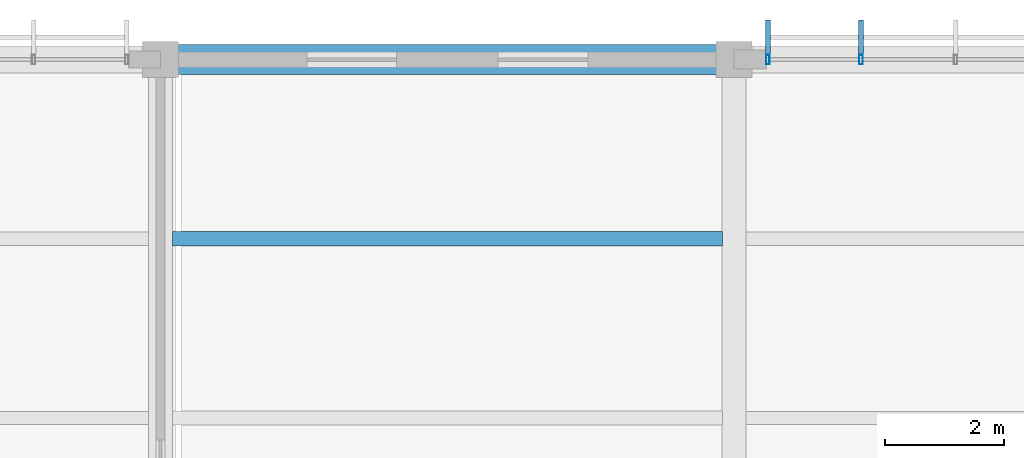
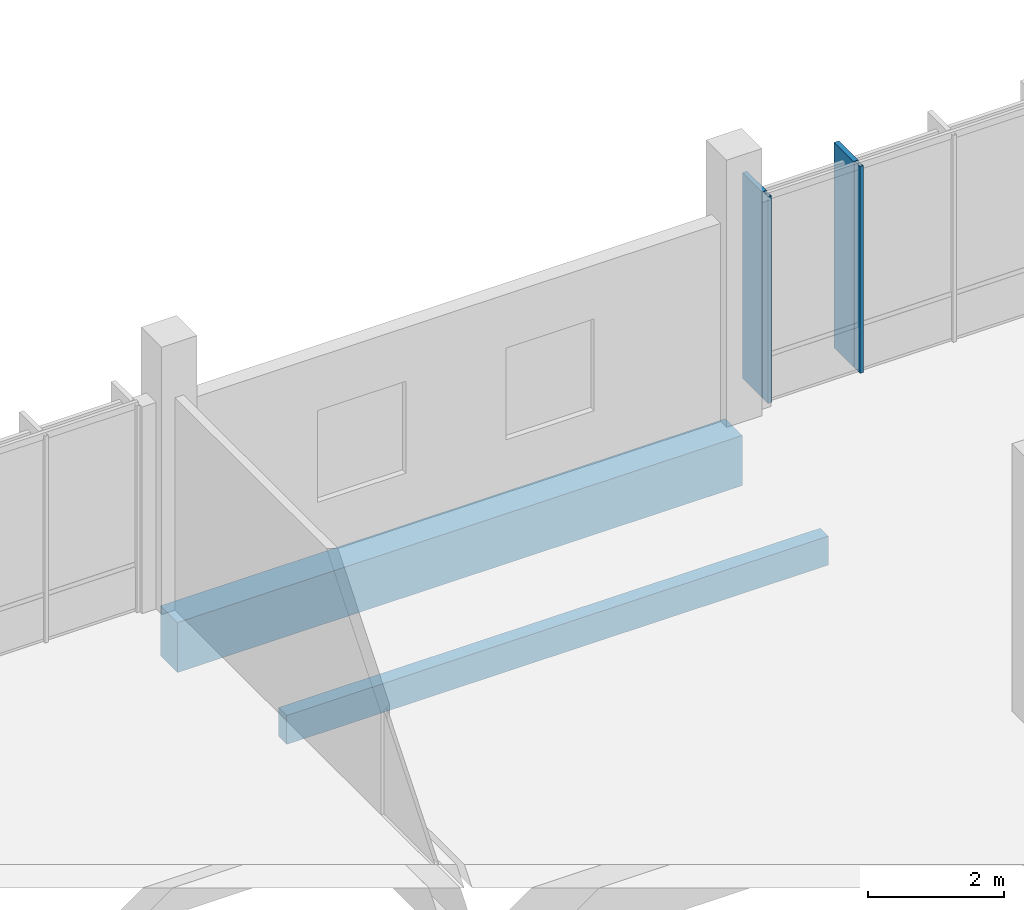
# One storey, part 128 of 177: 4 members, 2 beams, 1 element without a shape of its own.
"""IFC4 building model written with IfcOpenShell, lengths in metres."""

from ifc_helpers import new_model, si_unit, direction, frame, origin, origin_2d, place, context, subcontext, project, spatial, rectangle, hollow_rectangle, extrude, material, material_profile, profile_set, type_object, element, aggregate, save


model = new_model("IFC4")

# Units and contexts
model_context = context("Model", 3, precision=1e-05, world=origin(), true_north=direction((0.0, 1.0)))
body_context = subcontext(model_context, "Body", "Model", "MODEL_VIEW")
ifc_project = project(units=[si_unit("LENGTHUNIT", "METRE"), si_unit("AREAUNIT", "SQUARE_METRE"), si_unit("VOLUMEUNIT", "CUBIC_METRE"), si_unit("PLANEANGLEUNIT", "RADIAN"), si_unit("MASSUNIT", "GRAM", prefix="KILO")], contexts=[model_context])

# Site, building, storey
site_placement = place(None, origin())
site = spatial("IfcSite", under=ifc_project, at=site_placement, CompositionType="ELEMENT")
building_placement = place(site_placement, origin())
building = spatial("IfcBuilding", under=site, at=building_placement, Name="Chiffa Square Polytechnic", CompositionType="ELEMENT")
storey_placement = place(building_placement, frame((0.0, 0.0, 4.800048828125)))
storey = spatial("IfcBuildingStorey", under=building, at=storey_placement, Name="L01", CompositionType="ELEMENT", Elevation=4.800048828125)

# Beam
ifc_material_1 = material(Name="Concrete C40/50", Category="concrete")
ifc_material_profile_1 = material_profile(ifc_material_1, rectangle(XDim=0.5, YDim=0.89990234375, at=origin_2d()), Name="RC 500x900")
ifc_profile_set_1 = profile_set([ifc_material_profile_1], Name="Concrete C40/50")
beam_type_1 = type_object("IfcBeamType", Name="BM-RC-500X900", PredefinedType="BEAM", material=ifc_profile_set_1)
beam_1_placement = place(storey_placement, frame((111.60009765625, 130.800048828125, -0.72998046875), z_axis=(1.0, 0.0, 0.0), x_axis=(0.0, 1.0, 0.0)))
element("IfcBeam", 1, at=beam_1_placement, inside=storey, type_object=beam_type_1, Name="Primary floor girder BM-V5-L01-X-1116-1308", PredefinedType="BEAM", context=body_context, shape_type="SweptSolid", body=[
    extrude(rectangle(XDim=0.5, YDim=0.89990234375, at=origin_2d()), origin(), (0.0, 0.0, 1.0), 9.599853515625),
])

# Curtain wall, members
ifc_material_2 = material(Name="Aluminium EN AW-6060 T66 and glulam shading", Category="wood")
curtain_wall_type = type_object("IfcCurtainWallType", Name="CW-VERT-600X380", PredefinedType="USERDEFINED", material=ifc_material_2)
curtain_wall_placement = place(storey_placement, origin())
curtain_wall = element("IfcCurtainWall", 2, at=curtain_wall_placement, inside=storey, type_object=curtain_wall_type, Name="Curtain wall CW-V5-L01-204", ObjectType="CURTAIN WALL", PredefinedType="USERDEFINED")
ifc_material_3 = material(Name="Aluminium EN AW-6060 T66", Category="aluminium")
ifc_material_profile_2 = material_profile(ifc_material_3, hollow_rectangle(XDim=0.06005859375, YDim=0.159912109375, WallThickness=0.00390625, at=origin_2d()), Name="ALU 60x160x4")
ifc_profile_set_2 = profile_set([ifc_material_profile_2], Name="Aluminium EN AW-6060 T66")
member_type_1 = type_object("IfcMemberType", Name="CWM-ALU-65X150", PredefinedType="MULLION", material=ifc_profile_set_2)
member_1_placement = place(storey_placement, frame((123.323974609375, 130.800048828125, 0.0), z_axis=(0.0, 0.0, 1.0), x_axis=(1.0, 0.0, 0.0)))
member_1 = element("IfcMember", 3, at=member_1_placement, type_object=member_type_1, Name="Curtain wall mullion CW-V5-L01-204-M04", PredefinedType="MULLION", context=body_context, shape_type="SweptSolid", body=[
    extrude(hollow_rectangle(XDim=0.06005859375, YDim=0.159912109375, WallThickness=0.00390625, at=origin_2d()), origin(), (0.0, 0.0, 1.0), 3.71484375),
])
member_2_placement = place(storey_placement, frame((121.764892578125, 130.800048828125, 0.0), z_axis=(0.0, 0.0, 1.0), x_axis=(1.0, 0.0, 0.0)))
member_2 = element("IfcMember", 4, at=member_2_placement, type_object=member_type_1, Name="Curtain wall mullion CW-V5-L01-204-M05", PredefinedType="MULLION", context=body_context, shape_type="SweptSolid", body=[
    extrude(hollow_rectangle(XDim=0.06005859375, YDim=0.159912109375, WallThickness=0.00390625, at=origin_2d()), origin(), (0.0, 0.0, 1.0), 3.71484375),
])
ifc_material_4 = material(Name="Glulam GL28h", Category="wood")
ifc_material_profile_3 = material_profile(ifc_material_4, rectangle(XDim=0.080078125, YDim=0.580078125, at=origin_2d()), Name="GL28h 80x580")
ifc_profile_set_3 = profile_set([ifc_material_profile_3], Name="Glulam GL28h")
member_type_2 = type_object("IfcMemberType", Name="CWM-GL-80X580", PredefinedType="MULLION", material=ifc_profile_set_3)
member_3_placement = place(storey_placement, frame((123.323974609375, 131.172119140625, 0.010009765625), z_axis=(0.0, 0.0, 1.0), x_axis=(-1.0, 0.0, 0.0)))
member_3 = element("IfcMember", 5, at=member_3_placement, type_object=member_type_2, Name="Exterior glulam solar fin CW-V5-L01-204-FN04", PredefinedType="MULLION", context=body_context, shape_type="SweptSolid", body=[
    extrude(rectangle(XDim=0.080078125, YDim=0.580078125, at=origin_2d()), origin(), (0.0, 0.0, 1.0), 3.69482421875),
])
member_4_placement = place(storey_placement, frame((121.764892578125, 131.172119140625, 0.010009765625), z_axis=(0.0, 0.0, 1.0), x_axis=(-1.0, 0.0, 0.0)))
member_4 = element("IfcMember", 6, at=member_4_placement, type_object=member_type_2, Name="Exterior glulam solar fin CW-V5-L01-204-FN05", PredefinedType="MULLION", context=body_context, shape_type="SweptSolid", body=[
    extrude(rectangle(XDim=0.080078125, YDim=0.580078125, at=origin_2d()), origin(), (0.0, 0.0, 1.0), 3.69482421875),
])
aggregate(curtain_wall, [member_1, member_3, member_2, member_4])

# Beam
ifc_material_profile_4 = material_profile(ifc_material_4, rectangle(XDim=0.239990234375, YDim=0.52001953125, at=origin_2d()), Name="GL28h 240x520")
ifc_profile_set_4 = profile_set([ifc_material_profile_4], Name="Glulam GL28h")
beam_type_2 = type_object("IfcBeamType", Name="JST-GL-240X520", PredefinedType="JOIST", material=ifc_profile_set_4)
beam_2_placement = place(storey_placement, frame((111.798095703125, 127.800048828125, -0.5400390625), z_axis=(1.0, 0.0, 0.0), x_axis=(0.0, 1.0, 0.0)))
element("IfcBeam", 7, at=beam_2_placement, inside=storey, type_object=beam_type_2, Name="Secondary floor joist JST-V5-L01-1116-1278", PredefinedType="JOIST", context=body_context, shape_type="SweptSolid", body=[
    extrude(rectangle(XDim=0.239990234375, YDim=0.52001953125, at=origin_2d()), origin(), (0.0, 0.0, 1.0), 9.203857421875),
])

save(model, "model.ifc")
